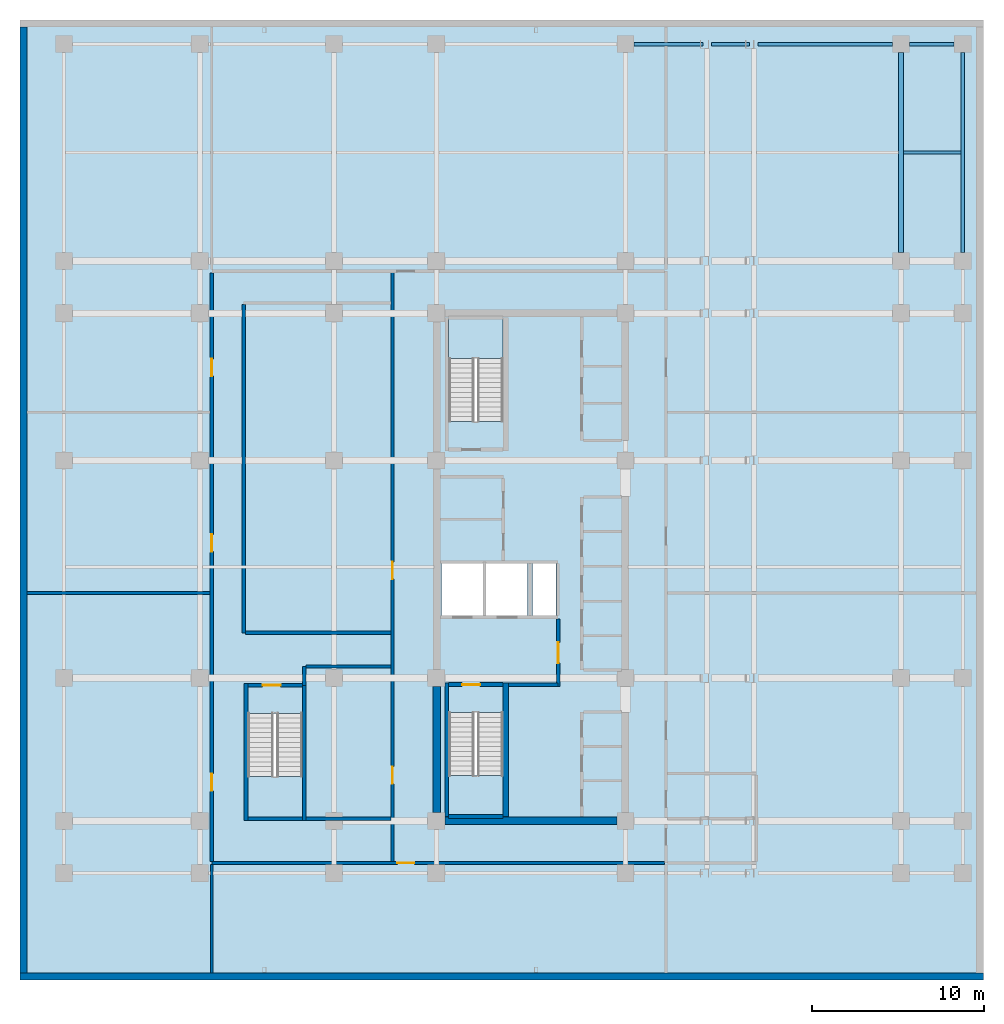
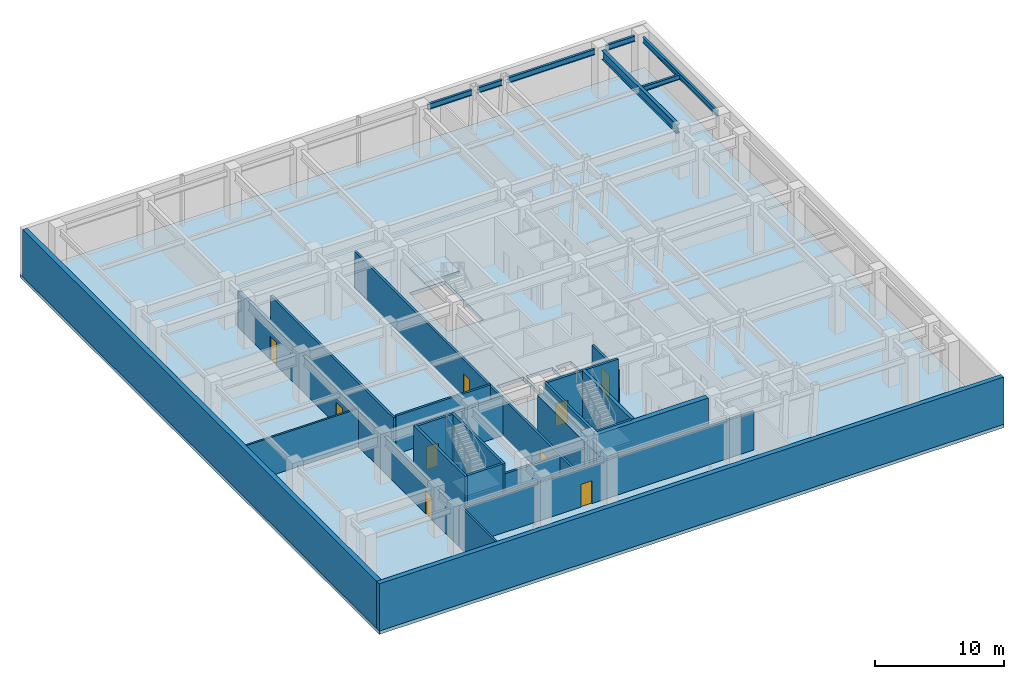
# One storey, part 6 of 9: 24 walls, 9 doors, 7 beams, 4 slabs, 9 openings, 3 elements without a shape of their own.
"""IFC4 building model written with IfcOpenShell, lengths in metres."""

from ifc_helpers import new_model, si_unit, direction, frame, frame_2d, origin, origin_2d, place, context, subcontext, project, spatial, polyline, rectangle, i_section, outline, extrude, material, layer, layer_set, material_profile, profile_set, type_object, element, fill, aggregate, save


model = new_model("IFC4")

# Units and contexts
model_context = context("Model", 3, precision=1e-05, world=origin(), true_north=direction((0.0, 1.0)))
body_context = subcontext(model_context, "Body", "Model", "MODEL_VIEW")
ifc_project = project(units=[si_unit("LENGTHUNIT", "METRE"), si_unit("AREAUNIT", "SQUARE_METRE"), si_unit("VOLUMEUNIT", "CUBIC_METRE"), si_unit("PLANEANGLEUNIT", "RADIAN"), si_unit("MASSUNIT", "GRAM", prefix="KILO")], contexts=[model_context])

# Site, building, storey
site_placement = place(None, origin())
site = spatial("IfcSite", under=ifc_project, at=site_placement, CompositionType="ELEMENT")
building_placement = place(site_placement, origin())
building = spatial("IfcBuilding", under=site, at=building_placement, Name="Ochreholt Gables", CompositionType="ELEMENT")
storey_placement = place(building_placement, frame((0.0, 0.0, -4.800048828125)))
storey = spatial("IfcBuildingStorey", under=building, at=storey_placement, Name="B1", CompositionType="ELEMENT", Elevation=-4.800048828125)

# Beams
ifc_material_1 = material(Name="Steel CSA G40.21 350W", Category="steel")
ifc_material_profile_1 = material_profile(ifc_material_1, i_section(OverallWidth=0.2939453125, OverallDepth=0.85107421875, WebThickness=0.01611328125, FlangeThickness=0.02685546875, at=origin_2d()), Name="W840X226")
ifc_profile_set_1 = profile_set([ifc_material_profile_1], Name="Steel CSA G40.21 350W")
beam_type_1 = type_object("IfcBeamType", Name="BM-G-W840", PredefinedType="BEAM", material=ifc_profile_set_1)
beam_1_placement = place(storey_placement, frame((51.199951171875, 42.299560546875, 4.054443359375), z_axis=(0.0, 1.0, 0.0), x_axis=(-1.0, 0.0, 0.0)))
element("IfcBeam", 1, at=beam_1_placement, inside=storey, type_object=beam_type_1, Name="B1 Beam BG-B1-E3-Y6Y7", PredefinedType="BEAM", context=body_context, shape_type="SweptSolid", body=[
    extrude(i_section(OverallWidth=0.2939453125, OverallDepth=0.85107421875, WebThickness=0.01611328125, FlangeThickness=0.02685546875, at=origin_2d()), origin(), (0.0, 0.0, 1.0), 11.600830078125),
])
ifc_material_profile_2 = material_profile(ifc_material_1, i_section(OverallWidth=0.18994140625, OverallDepth=0.45703125, WebThickness=0.009033203125, FlangeThickness=0.014404296875, at=origin_2d()), Name="W460X74")
ifc_profile_set_2 = profile_set([ifc_material_profile_2], Name="Steel CSA G40.21 350W")
beam_type_2 = type_object("IfcBeamType", Name="BM-J-W460B", PredefinedType="JOIST", material=ifc_profile_set_2)
beam_2_placement = place(storey_placement, frame((51.3466796875, 48.10009765625, 4.25146484375), z_axis=(1.0, 0.0, 0.0), x_axis=(0.0, 1.0, 0.0)))
element("IfcBeam", 2, at=beam_2_placement, inside=storey, type_object=beam_type_2, Name="B1 Beam BJ-B1-J2-E3E4", PredefinedType="JOIST", context=body_context, shape_type="SweptSolid", body=[
    extrude(i_section(OverallWidth=0.18994140625, OverallDepth=0.45703125, WebThickness=0.009033203125, FlangeThickness=0.014404296875, at=origin_2d()), origin(), (0.0, 0.0, 1.0), 3.34912109375),
])
ifc_material_profile_3 = material_profile(ifc_material_1, i_section(OverallWidth=0.208984375, OverallDepth=0.532958984375, WebThickness=0.01025390625, FlangeThickness=0.015625, at=origin_2d()), Name="W530X92")
ifc_profile_set_3 = profile_set([ifc_material_profile_3], Name="Steel CSA G40.21 350W")
beam_type_3 = type_object("IfcBeamType", Name="BM-SP-W530B", PredefinedType="SPANDREL", material=ifc_profile_set_3)
beam_3_placement = place(storey_placement, frame((35.69970703125, 54.39990234375, 4.213623046875), z_axis=(1.0, 0.0, 0.0), x_axis=(0.0, 1.0, 0.0)))
element("IfcBeam", 3, at=beam_3_placement, inside=storey, type_object=beam_type_3, Name="B1 Beam BG-B1-C2EM-Y7", PredefinedType="SPANDREL", context=body_context, shape_type="SweptSolid", body=[
    extrude(i_section(OverallWidth=0.208984375, OverallDepth=0.532958984375, WebThickness=0.01025390625, FlangeThickness=0.015625, at=origin_2d()), origin(), (0.0, 0.0, 1.0), 3.986572265625),
])
beam_4_placement = place(storey_placement, frame((40.185546875, 54.39990234375, 4.213623046875), z_axis=(1.0, 0.0, 0.0), x_axis=(0.0, 1.0, 0.0)))
element("IfcBeam", 4, at=beam_4_placement, inside=storey, type_object=beam_type_3, Name="B1 Beam BG-B1-EMEE-Y7", PredefinedType="SPANDREL", context=body_context, shape_type="SweptSolid", body=[
    extrude(i_section(OverallWidth=0.208984375, OverallDepth=0.532958984375, WebThickness=0.01025390625, FlangeThickness=0.015625, at=origin_2d()), origin(), (0.0, 0.0, 1.0), 2.2216796875),
])
beam_5_placement = place(storey_placement, frame((42.906494140625, 54.39990234375, 4.213623046875), z_axis=(1.0, 0.0, 0.0), x_axis=(0.0, 1.0, 0.0)))
element("IfcBeam", 5, at=beam_5_placement, inside=storey, type_object=beam_type_3, Name="B1 Beam BG-B1-EEE3-Y7", PredefinedType="SPANDREL", context=body_context, shape_type="SweptSolid", body=[
    extrude(i_section(OverallWidth=0.208984375, OverallDepth=0.532958984375, WebThickness=0.01025390625, FlangeThickness=0.015625, at=origin_2d()), origin(), (0.0, 0.0, 1.0), 7.7939453125),
])
beam_6_placement = place(storey_placement, frame((51.69970703125, 54.39990234375, 4.213623046875), z_axis=(1.0, 0.0, 0.0), x_axis=(0.0, 1.0, 0.0)))
element("IfcBeam", 6, at=beam_6_placement, inside=storey, type_object=beam_type_3, Name="B1 Beam BG-B1-E3E4-Y7", PredefinedType="SPANDREL", context=body_context, shape_type="SweptSolid", body=[
    extrude(i_section(OverallWidth=0.208984375, OverallDepth=0.532958984375, WebThickness=0.01025390625, FlangeThickness=0.015625, at=origin_2d()), origin(), (0.0, 0.0, 1.0), 2.6005859375),
])
beam_7_placement = place(storey_placement, frame((54.800048828125, 42.299560546875, 4.213623046875), z_axis=(0.0, 1.0, 0.0), x_axis=(-1.0, 0.0, 0.0)))
element("IfcBeam", 7, at=beam_7_placement, inside=storey, type_object=beam_type_3, Name="B1 Beam BG-B1-E4-Y6Y7", PredefinedType="SPANDREL", context=body_context, shape_type="SweptSolid", body=[
    extrude(i_section(OverallWidth=0.208984375, OverallDepth=0.532958984375, WebThickness=0.01025390625, FlangeThickness=0.015625, at=origin_2d()), origin(), (0.0, 0.0, 1.0), 11.600830078125),
])

# Stair, slab
ifc_material_2 = material(Name="Concrete 40 MPa", Category="concrete")
stair_type_1 = type_object("IfcStairType", Name="STAIR-CORE-ST-1", PredefinedType="HALF_TURN_STAIR", material=ifc_material_2)
stair_1_placement = place(storey_placement, origin())
stair_1 = element("IfcStair", 8, at=stair_1_placement, inside=storey, type_object=stair_type_1, Name="B1 Core Exit Stair 1", PredefinedType="HALF_TURN_STAIR")
ifc_layer_1 = layer(ifc_material_2, 0.199951171875, Name="Concrete 40 MPa")
ifc_layer_set_1 = layer_set([ifc_layer_1], Name="Concrete 40 MPa")
slab_type_1 = type_object("IfcSlabType", Name="LANDING-RC200", PredefinedType="LANDING", material=ifc_layer_set_1)
slab_1_placement = place(storey_placement, frame((0.0, 0.0, 2.199951171875)))
slab_1 = element("IfcSlab", 9, at=slab_1_placement, type_object=slab_type_1, Name="ST-1 landing 1", PredefinedType="LANDING", context=body_context, shape_type="SweptSolid", body=[
    extrude(outline(polyline([(24.919921875, 11.8740234375), (24.919921875, 9.52001953125), (28.080078125, 9.52001953125), (28.080078125, 11.8740234375), (24.919921875, 11.8740234375)])), origin(), (0.0, 0.0, 1.0), 0.2001953125),
])
aggregate(stair_1, [slab_1])

stair_type_2 = type_object("IfcStairType", Name="STAIR-CORE-ST-2", PredefinedType="HALF_TURN_STAIR", material=ifc_material_2)
stair_2_placement = place(storey_placement, origin())
stair_2 = element("IfcStair", 10, at=stair_2_placement, inside=storey, type_object=stair_type_2, Name="B1 Core Exit Stair 2", PredefinedType="HALF_TURN_STAIR")
slab_2_placement = place(storey_placement, frame((0.0, 0.0, 2.199951171875)))
slab_2 = element("IfcSlab", 11, at=slab_2_placement, type_object=slab_type_1, Name="ST-2 landing 1", PredefinedType="LANDING", context=body_context, shape_type="SweptSolid", body=[
    extrude(outline(polyline([(28.080078125, 36.1259765625), (28.080078125, 38.47998046875), (24.919921875, 38.47998046875), (24.919921875, 36.1259765625), (28.080078125, 36.1259765625)])), origin(), (0.0, 0.0, 1.0), 0.2001953125),
])
aggregate(stair_2, [slab_2])

stair_type_3 = type_object("IfcStairType", Name="STAIR-CORE-ST-P1", PredefinedType="HALF_TURN_STAIR", material=ifc_material_2)
stair_3_placement = place(storey_placement, origin())
stair_3 = element("IfcStair", 12, at=stair_3_placement, inside=storey, type_object=stair_type_3, Name="B1 Podium Exit Stair 3", PredefinedType="HALF_TURN_STAIR")
slab_3_placement = place(storey_placement, frame((0.0, 0.0, 2.199951171875)))
slab_3 = element("IfcSlab", 13, at=slab_3_placement, type_object=slab_type_1, Name="ST-P1 landing 1", PredefinedType="LANDING", context=body_context, shape_type="SweptSolid", body=[
    extrude(outline(polyline([(13.25, 11.833984375), (13.25, 9.47998046875), (16.409912109375, 9.47998046875), (16.409912109375, 11.833984375), (13.25, 11.833984375)])), origin(), (0.0, 0.0, 1.0), 0.2001953125),
])
aggregate(stair_3, [slab_3])

# Slab
ifc_material_3 = material(Name="Concrete 50 MPa", Category="concrete")
ifc_layer_2 = layer(ifc_material_3, 0.320068359375, Name="Concrete 50 MPa")
ifc_layer_set_2 = layer_set([ifc_layer_2], Name="Concrete 50 MPa")
slab_type_2 = type_object("IfcSlabType", Name="SLAB-POD-320", PredefinedType="FLOOR", material=ifc_layer_set_2)
slab_4_placement = place(storey_placement, frame((0.0, 0.0, -0.320068359375)))
element("IfcSlab", 14, at=slab_4_placement, inside=storey, type_object=slab_type_2, Name="B1 Structural Floor Slab", PredefinedType="FLOOR", context=body_context, shape_type="SweptSolid", body=[
    extrude(outline(polyline([(0.0, 0.0), (56.0, 0.0), (56.0, 55.800048828125), (0.0, 55.800048828125), (0.0, 0.0)]), holes=[polyline([(24.919921875, 15.539306640625), (24.919921875, 9.52001953125), (28.080078125, 9.52001953125), (28.080078125, 15.539306640625), (24.919921875, 15.539306640625)]), polyline([(28.080078125, 32.460693359375), (28.080078125, 38.47998046875), (24.919921875, 38.47998046875), (24.919921875, 32.460693359375), (28.080078125, 32.460693359375)]), polyline([(13.25, 15.499267578125), (13.25, 9.47998046875), (16.409912109375, 9.47998046875), (16.409912109375, 15.499267578125), (13.25, 15.499267578125)]), polyline([(24.5, 21.199951171875), (26.89990234375, 21.199951171875), (26.89990234375, 24.199951171875), (24.5, 24.199951171875), (24.5, 21.199951171875)]), polyline([(27.10009765625, 21.199951171875), (29.5, 21.199951171875), (29.5, 24.199951171875), (27.10009765625, 24.199951171875), (27.10009765625, 21.199951171875)]), polyline([(29.800048828125, 21.199951171875), (31.14990234375, 21.199951171875), (31.14990234375, 24.199951171875), (29.800048828125, 24.199951171875), (29.800048828125, 21.199951171875)])]), origin(), (0.0, 0.0, 1.0), 0.320068359375),
])

# Walls
ifc_layer_3 = layer(ifc_material_3, 0.419921875, Name="Concrete 50 MPa")
ifc_layer_set_3 = layer_set([ifc_layer_3], Name="Concrete 50 MPa")
wall_type_1 = type_object("IfcWallType", Name="WALL-BSM-420", PredefinedType="SHEAR", material=ifc_layer_set_3)
wall_1_placement = place(storey_placement, frame((0.0, 0.2099609375, 0.0), z_axis=(0.0, 0.0, 1.0), x_axis=(1.0, 0.0, 0.0)))
element("IfcWall", 15, at=wall_1_placement, inside=storey, type_object=wall_type_1, Name="B1 South Retaining Shear Wall", PredefinedType="SHEAR", context=body_context, shape_type="SweptSolid", body=[
    extrude(rectangle(XDim=56.0, YDim=0.419921875, at=frame_2d((28.0, 0.0))), origin(), (0.0, 0.0, 1.0), 4.47998046875),
])
wall_2_placement = place(storey_placement, frame((0.2099609375, 0.419921875, 0.0), z_axis=(0.0, 0.0, 1.0), x_axis=(0.0, 1.0, 0.0)))
element("IfcWall", 16, at=wall_2_placement, inside=storey, type_object=wall_type_1, Name="B1 West Retaining Shear Wall", PredefinedType="SHEAR", context=body_context, shape_type="SweptSolid", body=[
    extrude(rectangle(XDim=54.9599609375, YDim=0.419921875, at=frame_2d((27.47998046875, 0.0))), origin(), (0.0, 0.0, 1.0), 4.47998046875),
])
ifc_material_4 = material(Name="Concrete 60 MPa", Category="concrete")
ifc_layer_4 = layer(ifc_material_4, 0.449951171875, Name="Concrete 60 MPa")
ifc_layer_set_4 = layer_set([ifc_layer_4], Name="Concrete 60 MPa")
wall_type_2 = type_object("IfcWallType", Name="WALL-CSW-450", PredefinedType="SHEAR", material=ifc_layer_set_4)
wall_3_placement = place(storey_placement, frame((24.22509765625, 9.75, 0.0), z_axis=(0.0, 0.0, 1.0), x_axis=(0.0, 1.0, 0.0)))
element("IfcWall", 17, at=wall_3_placement, inside=storey, type_object=wall_type_2, Name="B1 Core West Shear Wall WS", PredefinedType="SHEAR", context=body_context, shape_type="SweptSolid", body=[
    extrude(rectangle(XDim=7.300048828125, YDim=0.449951171875, at=frame_2d((3.64990234375, 0.0))), origin(), (0.0, 0.0, 1.0), 3.629150390625),
])
wall_4_placement = place(storey_placement, frame((24.699951171875, 9.25, 0.0), z_axis=(0.0, 0.0, 1.0), x_axis=(1.0, 0.0, 0.0)))
element("IfcWall", 18, at=wall_4_placement, inside=storey, type_object=wall_type_2, Name="B1 Core South Shear Wall", PredefinedType="SHEAR", context=body_context, shape_type="SweptSolid", body=[
    extrude(rectangle(XDim=10.0, YDim=0.449951171875, at=frame_2d((5.0, 0.0))), origin(), (0.0, 0.0, 1.0), 4.47998046875),
])
ifc_layer_5 = layer(ifc_material_2, 0.199951171875, Name="Concrete 40 MPa")
ifc_layer_set_5 = layer_set([ifc_layer_5], Name="Concrete 40 MPa")
wall_type_3 = type_object("IfcWallType", Name="WALL-INT-CF200", PredefinedType="STANDARD", material=ifc_layer_set_5)
wall_5_placement = place(storey_placement, frame((28.3798828125, 17.169921875, 0.0), z_axis=(0.0, 0.0, 1.0), x_axis=(1.0, 0.0, 0.0)))
element("IfcWall", 19, at=wall_5_placement, inside=storey, type_object=wall_type_3, Name="B1 Interior Wall WI-FFS-B1", PredefinedType="STANDARD", context=body_context, shape_type="SweptSolid", body=[
    extrude(rectangle(XDim=2.900146484375, YDim=0.199951171875, at=frame_2d((1.4501953125, 0.0))), origin(), (0.0, 0.0, 1.0), 4.47998046875),
])

# Wall, opening, door
wall_6_placement = place(storey_placement, frame((31.280029296875, 17.070068359375, 0.0), z_axis=(0.0, 0.0, 1.0), x_axis=(0.0, 1.0, 0.0)))
wall_6 = element("IfcWall", 20, at=wall_6_placement, inside=storey, type_object=wall_type_3, Name="B1 Interior Wall WI-FFE-B1", PredefinedType="STANDARD", context=body_context, shape_type="SweptSolid", body=[
    extrude(rectangle(XDim=3.919921875, YDim=0.199951171875, at=frame_2d((1.9599609375, 0.0))), origin(), (0.0, 0.0, 1.0), 3.462158203125),
])
opening_1_placement = place(wall_6_placement, frame((1.35009765625, 0.0, 0.0)))
opening_1 = element("IfcOpeningElement", 21, at=opening_1_placement, cuts=wall_6, Name="Opening D-FFL", PredefinedType="OPENING", context=body_context, shape_type="SweptSolid", body=[
    extrude(rectangle(XDim=1.199951171875, YDim=2.14990234375, at=frame_2d((0.60009765625, 1.074951171875))), frame((0.0, 0.10986328125, 0.0), z_axis=(0.0, -1.0, 0.0), x_axis=(1.0, 0.0, 0.0)), (0.0, 0.0, 1.0), 0.219970703125),
])
ifc_material_5 = material(Name="Hollow Metal Steel", Category="steel")
door_type_1 = type_object("IfcDoorType", Name="DR-INT-FFL1200", OperationType="NOTDEFINED", PredefinedType="DOOR", material=ifc_material_5)
door_1_placement = place(opening_1_placement, origin())
door_1 = element("IfcDoor", 22, at=door_1_placement, inside=storey, type_object=door_type_1, Name="B1 Door D-FFL-B1", OperationType="SINGLE_SWING_LEFT", OverallHeight=2.14990234375, OverallWidth=1.199951171875, PredefinedType="DOOR", context=body_context, shape_type="SweptSolid", body=[
    extrude(rectangle(XDim=1.199951171875, YDim=2.14990234375, at=frame_2d((0.60009765625, 1.074951171875))), frame((0.0, 0.02490234375, 0.0), z_axis=(0.0, -1.0, 0.0), x_axis=(1.0, 0.0, 0.0)), (0.0, 0.0, 1.0), 0.050048828125),
])
fill(opening_1, door_1)

# Wall, openings, doors
ifc_material_6 = material(Name="Fire-Rated Gypsum Acoustic Partition", Category="gypsum")
ifc_layer_6 = layer(ifc_material_6, 0.18994140625, Name="Fire-Rated Gypsum Acoustic Partition")
ifc_layer_set_6 = layer_set([ifc_layer_6], Name="Fire-Rated Gypsum Acoustic Partition")
wall_type_4 = type_object("IfcWallType", Name="WALL-INT-CR190", PredefinedType="STANDARD", material=ifc_layer_set_6)
wall_7_placement = place(storey_placement, frame((21.64990234375, 6.800048828125, 0.0), z_axis=(0.0, 0.0, 1.0), x_axis=(0.0, 1.0, 0.0)))
wall_7 = element("IfcWall", 23, at=wall_7_placement, inside=storey, type_object=wall_type_4, Name="B1 Interior Wall WI-BCW-B1", PredefinedType="STANDARD", context=body_context, shape_type="SweptSolid", body=[
    extrude(rectangle(XDim=34.39990234375, YDim=0.18994140625, at=frame_2d((17.199951171875, 0.0))), origin(), (0.0, 0.0, 1.0), 3.462158203125),
])
opening_2_placement = place(wall_7_placement, frame((4.60009765625, 0.0, 0.0)))
opening_2 = element("IfcOpeningElement", 24, at=opening_2_placement, cuts=wall_7, Name="Opening D-SV3", PredefinedType="OPENING", context=body_context, shape_type="SweptSolid", body=[
    extrude(rectangle(XDim=1.0, YDim=2.14990234375, at=frame_2d((0.5, 1.074951171875))), frame((0.0, 0.10498046875, 0.0), z_axis=(0.0, -1.0, 0.0), x_axis=(1.0, 0.0, 0.0)), (0.0, 0.0, 1.0), 0.2099609375),
])
opening_3_placement = place(wall_7_placement, frame((16.5, 0.0, 0.0)))
opening_3 = element("IfcOpeningElement", 25, at=opening_3_placement, cuts=wall_7, Name="Opening D-SV3", PredefinedType="OPENING", context=body_context, shape_type="SweptSolid", body=[
    extrude(rectangle(XDim=1.0, YDim=2.14990234375, at=frame_2d((0.5, 1.074951171875))), frame((0.0, 0.10498046875, 0.0), z_axis=(0.0, -1.0, 0.0), x_axis=(1.0, 0.0, 0.0)), (0.0, 0.0, 1.0), 0.2099609375),
])
door_type_2 = type_object("IfcDoorType", Name="DR-INT-SRV1000", OperationType="NOTDEFINED", PredefinedType="DOOR", material=ifc_material_5)
door_2_placement = place(opening_2_placement, origin())
door_2 = element("IfcDoor", 26, at=door_2_placement, inside=storey, type_object=door_type_2, Name="B1 Door D-BM4-B1", OperationType="SINGLE_SWING_LEFT", OverallHeight=2.14990234375, OverallWidth=1.0, PredefinedType="DOOR", context=body_context, shape_type="SweptSolid", body=[
    extrude(rectangle(XDim=1.0, YDim=2.14990234375, at=frame_2d((0.5, 1.074951171875))), frame((0.0, 0.02490234375, 0.0), z_axis=(0.0, -1.0, 0.0), x_axis=(1.0, 0.0, 0.0)), (0.0, 0.0, 1.0), 0.050048828125),
])
fill(opening_2, door_2)
door_3_placement = place(opening_3_placement, origin())
door_3 = element("IfcDoor", 27, at=door_3_placement, inside=storey, type_object=door_type_2, Name="B1 Door D-BM5-B1", OperationType="SINGLE_SWING_RIGHT", OverallHeight=2.14990234375, OverallWidth=1.0, PredefinedType="DOOR", context=body_context, shape_type="SweptSolid", body=[
    extrude(rectangle(XDim=1.0, YDim=2.14990234375, at=frame_2d((0.5, 1.074951171875))), frame((0.0, 0.02490234375, 0.0), z_axis=(0.0, -1.0, 0.0), x_axis=(1.0, 0.0, 0.0)), (0.0, 0.0, 1.0), 0.050048828125),
])
fill(opening_3, door_3)

# Wall, opening, door
wall_8_placement = place(storey_placement, frame((11.14990234375, 6.800048828125, 0.0), z_axis=(0.0, 0.0, 1.0), x_axis=(1.0, 0.0, 0.0)))
wall_8 = element("IfcWall", 28, at=wall_8_placement, inside=storey, type_object=wall_type_4, Name="B1 Interior Wall WI-BCS-B1", PredefinedType="STANDARD", context=body_context, shape_type="SweptSolid", body=[
    extrude(rectangle(XDim=26.30517578125, YDim=0.18994140625, at=frame_2d((13.152587890625, 0.0))), origin(), (0.0, 0.0, 1.0), 3.611083984375),
])
opening_4_placement = place(wall_8_placement, frame((10.780029296875, 0.0, 0.0)))
opening_4 = element("IfcOpeningElement", 29, at=opening_4_placement, cuts=wall_8, Name="Opening D-SV3", PredefinedType="OPENING", context=body_context, shape_type="SweptSolid", body=[
    extrude(rectangle(XDim=1.0, YDim=2.14990234375, at=frame_2d((0.5, 1.074951171875))), frame((0.0, 0.10498046875, 0.0), z_axis=(0.0, -1.0, 0.0), x_axis=(1.0, 0.0, 0.0)), (0.0, 0.0, 1.0), 0.2099609375),
])
door_4_placement = place(opening_4_placement, origin())
door_4 = element("IfcDoor", 30, at=door_4_placement, inside=storey, type_object=door_type_2, Name="B1 Door D-BM9-B1", OperationType="SINGLE_SWING_RIGHT", OverallHeight=2.14990234375, OverallWidth=1.0, PredefinedType="DOOR", context=body_context, shape_type="SweptSolid", body=[
    extrude(rectangle(XDim=1.0, YDim=2.14990234375, at=frame_2d((0.5, 1.074951171875))), frame((0.0, 0.02490234375, 0.0), z_axis=(0.0, -1.0, 0.0), x_axis=(1.0, 0.0, 0.0)), (0.0, 0.0, 1.0), 0.050048828125),
])
fill(opening_4, door_4)

# Wall
wall_9_placement = place(storey_placement, frame((16.6298828125, 9.3701171875, 0.0), z_axis=(0.0, 0.0, 1.0), x_axis=(1.0, 0.0, 0.0)))
element("IfcWall", 31, at=wall_9_placement, inside=storey, type_object=wall_type_4, Name="B1 Interior Wall WI-BCS2-B1", PredefinedType="STANDARD", context=body_context, shape_type="SweptSolid", body=[
    extrude(rectangle(XDim=4.925048828125, YDim=0.18994140625, at=frame_2d((2.46240234375, 0.0))), origin(), (0.0, 0.0, 1.0), 3.462158203125),
])

# Wall, openings, doors
wall_10_placement = place(storey_placement, frame((11.14990234375, 6.89501953125, 0.0), z_axis=(0.0, 0.0, 1.0), x_axis=(0.0, 1.0, 0.0)))
wall_10 = element("IfcWall", 32, at=wall_10_placement, inside=storey, type_object=wall_type_4, Name="B1 Interior Wall WI-BCWW-B1", PredefinedType="STANDARD", context=body_context, shape_type="SweptSolid", body=[
    extrude(rectangle(XDim=34.2099609375, YDim=0.18994140625, at=frame_2d((17.10498046875, 0.0))), origin(), (0.0, 0.0, 1.0), 3.462158203125),
])
opening_5_placement = place(wall_10_placement, frame((4.10498046875, 0.0, 0.0)))
opening_5 = element("IfcOpeningElement", 33, at=opening_5_placement, cuts=wall_10, Name="Opening D-SV3", PredefinedType="OPENING", context=body_context, shape_type="SweptSolid", body=[
    extrude(rectangle(XDim=1.0, YDim=2.14990234375, at=frame_2d((0.5, 1.074951171875))), frame((0.0, 0.10498046875, 0.0), z_axis=(0.0, -1.0, 0.0), x_axis=(1.0, 0.0, 0.0)), (0.0, 0.0, 1.0), 0.2099609375),
])
opening_6_placement = place(wall_10_placement, frame((18.0048828125, 0.0, 0.0)))
opening_6 = element("IfcOpeningElement", 34, at=opening_6_placement, cuts=wall_10, Name="Opening D-SV3", PredefinedType="OPENING", context=body_context, shape_type="SweptSolid", body=[
    extrude(rectangle(XDim=1.0, YDim=2.14990234375, at=frame_2d((0.5, 1.074951171875))), frame((0.0, 0.10498046875, 0.0), z_axis=(0.0, -1.0, 0.0), x_axis=(1.0, 0.0, 0.0)), (0.0, 0.0, 1.0), 0.2099609375),
])
opening_7_placement = place(wall_10_placement, frame((28.205078125, 0.0, 0.0)))
opening_7 = element("IfcOpeningElement", 35, at=opening_7_placement, cuts=wall_10, Name="Opening D-SV3", PredefinedType="OPENING", context=body_context, shape_type="SweptSolid", body=[
    extrude(rectangle(XDim=1.0, YDim=2.14990234375, at=frame_2d((0.5, 1.074951171875))), frame((0.0, 0.10498046875, 0.0), z_axis=(0.0, -1.0, 0.0), x_axis=(1.0, 0.0, 0.0)), (0.0, 0.0, 1.0), 0.2099609375),
])
door_5_placement = place(opening_5_placement, origin())
door_5 = element("IfcDoor", 36, at=door_5_placement, inside=storey, type_object=door_type_2, Name="B1 Door D-BM1-B1", OperationType="SINGLE_SWING_RIGHT", OverallHeight=2.14990234375, OverallWidth=1.0, PredefinedType="DOOR", context=body_context, shape_type="SweptSolid", body=[
    extrude(rectangle(XDim=1.0, YDim=2.14990234375, at=frame_2d((0.5, 1.074951171875))), frame((0.0, 0.02490234375, 0.0), z_axis=(0.0, -1.0, 0.0), x_axis=(1.0, 0.0, 0.0)), (0.0, 0.0, 1.0), 0.050048828125),
])
fill(opening_5, door_5)
door_6_placement = place(opening_6_placement, origin())
door_6 = element("IfcDoor", 37, at=door_6_placement, inside=storey, type_object=door_type_2, Name="B1 Door D-BM2-B1", OperationType="SINGLE_SWING_LEFT", OverallHeight=2.14990234375, OverallWidth=1.0, PredefinedType="DOOR", context=body_context, shape_type="SweptSolid", body=[
    extrude(rectangle(XDim=1.0, YDim=2.14990234375, at=frame_2d((0.5, 1.074951171875))), frame((0.0, 0.02490234375, 0.0), z_axis=(0.0, -1.0, 0.0), x_axis=(1.0, 0.0, 0.0)), (0.0, 0.0, 1.0), 0.050048828125),
])
fill(opening_6, door_6)
door_7_placement = place(opening_7_placement, origin())
door_7 = element("IfcDoor", 38, at=door_7_placement, inside=storey, type_object=door_type_2, Name="B1 Door D-BM3-B1", OperationType="SINGLE_SWING_RIGHT", OverallHeight=2.14990234375, OverallWidth=1.0, PredefinedType="DOOR", context=body_context, shape_type="SweptSolid", body=[
    extrude(rectangle(XDim=1.0, YDim=2.14990234375, at=frame_2d((0.5, 1.074951171875))), frame((0.0, 0.02490234375, 0.0), z_axis=(0.0, -1.0, 0.0), x_axis=(1.0, 0.0, 0.0)), (0.0, 0.0, 1.0), 0.050048828125),
])
fill(opening_7, door_7)

# Walls
wall_11_placement = place(storey_placement, frame((13.0, 20.179931640625, 0.0), z_axis=(0.0, 0.0, 1.0), x_axis=(0.0, 1.0, 0.0)))
element("IfcWall", 39, at=wall_11_placement, inside=storey, type_object=wall_type_4, Name="B1 Interior Wall WI-BCWE2-B1", PredefinedType="STANDARD", context=body_context, shape_type="SweptSolid", body=[
    extrude(rectangle(XDim=19.074951171875, YDim=0.18994140625, at=frame_2d((9.53759765625, 0.0))), origin(), (0.0, 0.0, 1.0), 3.462158203125),
])
wall_12_placement = place(storey_placement, frame((16.6298828125, 18.219970703125, 0.0), z_axis=(0.0, 0.0, 1.0), x_axis=(1.0, 0.0, 0.0)))
element("IfcWall", 40, at=wall_12_placement, inside=storey, type_object=wall_type_4, Name="B1 Interior Wall WI-STP-EXT-B1", PredefinedType="STANDARD", context=body_context, shape_type="SweptSolid", body=[
    extrude(rectangle(XDim=4.925048828125, YDim=0.18994140625, at=frame_2d((2.46240234375, 0.0))), origin(), (0.0, 0.0, 1.0), 3.611083984375),
])
wall_13_placement = place(storey_placement, frame((16.52001953125, 17.1298828125, 0.0), z_axis=(0.0, 0.0, 1.0), x_axis=(0.0, 1.0, 0.0)))
element("IfcWall", 41, at=wall_13_placement, inside=storey, type_object=wall_type_4, Name="B1 Interior Wall WI-STP-E2-B1", PredefinedType="STANDARD", context=body_context, shape_type="SweptSolid", body=[
    extrude(rectangle(XDim=1.090087890625, YDim=0.18994140625, at=frame_2d((0.544921875, 0.0))), origin(), (0.0, 0.0, 1.0), 3.462158203125),
])
wall_14_placement = place(storey_placement, frame((13.094970703125, 20.179931640625, 0.0), z_axis=(0.0, 0.0, 1.0), x_axis=(1.0, 0.0, 0.0)))
element("IfcWall", 42, at=wall_14_placement, inside=storey, type_object=wall_type_4, Name="B1 Interior Wall WI-STP-N2-B1", PredefinedType="STANDARD", context=body_context, shape_type="SweptSolid", body=[
    extrude(rectangle(XDim=8.4599609375, YDim=0.18994140625, at=frame_2d((4.22998046875, 0.0))), origin(), (0.0, 0.0, 1.0), 3.611083984375),
])
ifc_material_7 = material(Name="Gypsum Acoustic Stud Partition", Category="gypsum")
ifc_layer_7 = layer(ifc_material_7, 0.159912109375, Name="Gypsum Acoustic Stud Partition")
ifc_layer_set_7 = layer_set([ifc_layer_7], Name="Gypsum Acoustic Stud Partition")
wall_type_5 = type_object("IfcWallType", Name="WALL-INT-PT160", PredefinedType="PARTITIONING", material=ifc_layer_set_7)
wall_15_placement = place(storey_placement, frame((11.14990234375, 0.419921875, 0.0), z_axis=(0.0, 0.0, 1.0), x_axis=(0.0, 1.0, 0.0)))
element("IfcWall", 43, at=wall_15_placement, inside=storey, type_object=wall_type_5, Name="B1 Interior Wall WI-BCWWS-B1", PredefinedType="PARTITIONING", context=body_context, shape_type="SweptSolid", body=[
    extrude(rectangle(XDim=6.28515625, YDim=0.159912109375, at=frame_2d((3.142578125, 0.0))), origin(), (0.0, 0.0, 1.0), 3.928955078125),
])
wall_16_placement = place(storey_placement, frame((0.419921875, 22.5, 0.0), z_axis=(0.0, 0.0, 1.0), x_axis=(1.0, 0.0, 0.0)))
element("IfcWall", 44, at=wall_16_placement, inside=storey, type_object=wall_type_5, Name="B1 Interior Wall WI-BW1-B1", PredefinedType="PARTITIONING", context=body_context, shape_type="SweptSolid", body=[
    extrude(rectangle(XDim=10.635009765625, YDim=0.159912109375, at=frame_2d((5.3173828125, 0.0))), origin(), (0.0, 0.0, 1.0), 3.611083984375),
])
ifc_layer_8 = layer(ifc_material_4, 0.300048828125, Name="Concrete 60 MPa")
ifc_layer_set_8 = layer_set([ifc_layer_8], Name="Concrete 60 MPa")
wall_type_6 = type_object("IfcWallType", Name="WALL-SPN-300", PredefinedType="SHEAR", material=ifc_layer_set_8)
wall_17_placement = place(storey_placement, frame((28.22998046875, 9.5, 0.0), z_axis=(0.0, 0.0, 1.0), x_axis=(0.0, 1.0, 0.0)))
element("IfcWall", 45, at=wall_17_placement, inside=storey, type_object=wall_type_6, Name="B1 Core South Spine Shear Wall", PredefinedType="SHEAR", context=body_context, shape_type="SweptSolid", body=[
    extrude(rectangle(XDim=7.760009765625, YDim=0.300048828125, at=frame_2d((3.8798828125, 0.0))), origin(), (0.0, 0.0, 1.0), 4.47998046875),
])
ifc_layer_9 = layer(ifc_material_3, 0.219970703125, Name="Concrete 50 MPa")
ifc_layer_set_9 = layer_set([ifc_layer_9], Name="Concrete 50 MPa")
wall_type_7 = type_object("IfcWallType", Name="WALL-STW-220", PredefinedType="SHEAR", material=ifc_layer_set_9)
wall_18_placement = place(storey_placement, frame((24.81005859375, 9.5, 0.0), z_axis=(0.0, 0.0, 1.0), x_axis=(0.0, 1.0, 0.0)))
element("IfcWall", 46, at=wall_18_placement, inside=storey, type_object=wall_type_7, Name="B1 Exit Stair 1 West Wall", PredefinedType="SHEAR", context=body_context, shape_type="SweptSolid", body=[
    extrude(rectangle(XDim=7.760009765625, YDim=0.219970703125, at=frame_2d((3.8798828125, 0.0))), origin(), (0.0, 0.0, 1.0), 4.47998046875),
])
wall_19_placement = place(storey_placement, frame((24.919921875, 9.510009765625, 0.0), z_axis=(0.0, 0.0, 1.0), x_axis=(1.0, 0.0, 0.0)))
element("IfcWall", 47, at=wall_19_placement, inside=storey, type_object=wall_type_7, Name="B1 Exit Stair 1 South Wall", PredefinedType="SHEAR", context=body_context, shape_type="SweptSolid", body=[
    extrude(rectangle(XDim=3.16015625, YDim=0.219970703125, at=frame_2d((1.580078125, 0.0))), origin(), (0.0, 0.0, 1.0), 4.47998046875),
])

# Wall, opening, door
wall_20_placement = place(storey_placement, frame((24.919921875, 17.169921875, 0.0), z_axis=(0.0, 0.0, 1.0), x_axis=(1.0, 0.0, 0.0)))
wall_20 = element("IfcWall", 48, at=wall_20_placement, inside=storey, type_object=wall_type_7, Name="B1 Exit Stair 1 North Wall", PredefinedType="SHEAR", context=body_context, shape_type="SweptSolid", body=[
    extrude(rectangle(XDim=3.16015625, YDim=0.219970703125, at=frame_2d((1.580078125, 0.0))), origin(), (0.0, 0.0, 1.0), 4.47998046875),
])
opening_8_placement = place(wall_20_placement, frame((0.780029296875, 0.0, 0.0)))
opening_8 = element("IfcOpeningElement", 49, at=opening_8_placement, cuts=wall_20, Name="Opening D-STC", PredefinedType="OPENING", context=body_context, shape_type="SweptSolid", body=[
    extrude(rectangle(XDim=1.050048828125, YDim=2.14990234375, at=frame_2d((0.52490234375, 1.074951171875))), frame((0.0, 0.119873046875, 0.0), z_axis=(0.0, -1.0, 0.0), x_axis=(1.0, 0.0, 0.0)), (0.0, 0.0, 1.0), 0.239990234375),
])
door_type_3 = type_object("IfcDoorType", Name="DR-INT-ST1050", OperationType="NOTDEFINED", PredefinedType="DOOR", material=ifc_material_5)
door_8_placement = place(opening_8_placement, frame((1.050048828125, 0.0, 0.0), z_axis=(0.0, 0.0, 1.0), x_axis=(-1.0, 0.0, 0.0)))
door_8 = element("IfcDoor", 50, at=door_8_placement, inside=storey, type_object=door_type_3, Name="B1 Door D-ST1-B1", OperationType="SINGLE_SWING_LEFT", OverallHeight=2.14990234375, OverallWidth=1.050048828125, PredefinedType="DOOR", context=body_context, shape_type="SweptSolid", body=[
    extrude(rectangle(XDim=1.050048828125, YDim=2.14990234375, at=frame_2d((0.52490234375, 1.074951171875))), frame((0.0, 0.02490234375, 0.0), z_axis=(0.0, -1.0, 0.0), x_axis=(1.0, 0.0, 0.0)), (0.0, 0.0, 1.0), 0.050048828125),
])
fill(opening_8, door_8)

# Walls
for number, where, z_axis, x_axis, name in (
    (51, (13.139892578125, 9.260009765625, 0.0), (0.0, 0.0, 1.0), (0.0, 1.0, 0.0), "B1 Podium Stair West Wall"),
    (52, (16.52001953125, 9.260009765625, 0.0), (0.0, 0.0, 1.0), (0.0, 1.0, 0.0), "B1 Podium Stair East Wall"),
):
    element("IfcWall", number, at=place(storey_placement, frame(where, z_axis=z_axis, x_axis=x_axis)), inside=storey, type_object=wall_type_7, Name=name, PredefinedType="SHEAR", context=body_context, shape_type="SweptSolid", body=[
        extrude(rectangle(XDim=7.97998046875, YDim=0.219970703125, at=frame_2d((3.989990234375, 0.0))), origin(), (0.0, 0.0, 1.0), 4.47998046875),
    ])
wall_21_placement = place(storey_placement, frame((13.25, 9.3701171875, 0.0), z_axis=(0.0, 0.0, 1.0), x_axis=(1.0, 0.0, 0.0)))
element("IfcWall", 53, at=wall_21_placement, inside=storey, type_object=wall_type_7, Name="B1 Podium Stair South Wall", PredefinedType="SHEAR", context=body_context, shape_type="SweptSolid", body=[
    extrude(rectangle(XDim=3.159912109375, YDim=0.219970703125, at=frame_2d((1.580078125, 0.0))), origin(), (0.0, 0.0, 1.0), 4.47998046875),
])

# Wall, opening, door
wall_22_placement = place(storey_placement, frame((13.25, 17.1298828125, 0.0), z_axis=(0.0, 0.0, 1.0), x_axis=(1.0, 0.0, 0.0)))
wall_22 = element("IfcWall", 54, at=wall_22_placement, inside=storey, type_object=wall_type_7, Name="B1 Podium Stair North Wall", PredefinedType="SHEAR", context=body_context, shape_type="SweptSolid", body=[
    extrude(rectangle(XDim=3.159912109375, YDim=0.219970703125, at=frame_2d((1.580078125, 0.0))), origin(), (0.0, 0.0, 1.0), 4.47998046875),
])
opening_9_placement = place(wall_22_placement, frame((0.85009765625, 0.0, 0.0)))
opening_9 = element("IfcOpeningElement", 55, at=opening_9_placement, cuts=wall_22, Name="Opening D-STC", PredefinedType="OPENING", context=body_context, shape_type="SweptSolid", body=[
    extrude(rectangle(XDim=1.050048828125, YDim=2.14990234375, at=frame_2d((0.52490234375, 1.074951171875))), frame((0.0, 0.119873046875, 0.0), z_axis=(0.0, -1.0, 0.0), x_axis=(1.0, 0.0, 0.0)), (0.0, 0.0, 1.0), 0.239990234375),
])
door_9_placement = place(opening_9_placement, frame((1.050048828125, 0.0, 0.0), z_axis=(0.0, 0.0, 1.0), x_axis=(-1.0, 0.0, 0.0)))
door_9 = element("IfcDoor", 56, at=door_9_placement, inside=storey, type_object=door_type_3, Name="B1 Door D-STP1-B1", OperationType="SINGLE_SWING_LEFT", OverallHeight=2.14990234375, OverallWidth=1.050048828125, PredefinedType="DOOR", context=body_context, shape_type="SweptSolid", body=[
    extrude(rectangle(XDim=1.050048828125, YDim=2.14990234375, at=frame_2d((0.52490234375, 1.074951171875))), frame((0.0, 0.02490234375, 0.0), z_axis=(0.0, -1.0, 0.0), x_axis=(1.0, 0.0, 0.0)), (0.0, 0.0, 1.0), 0.050048828125),
])
fill(opening_9, door_9)

save(model, "model.ifc")
